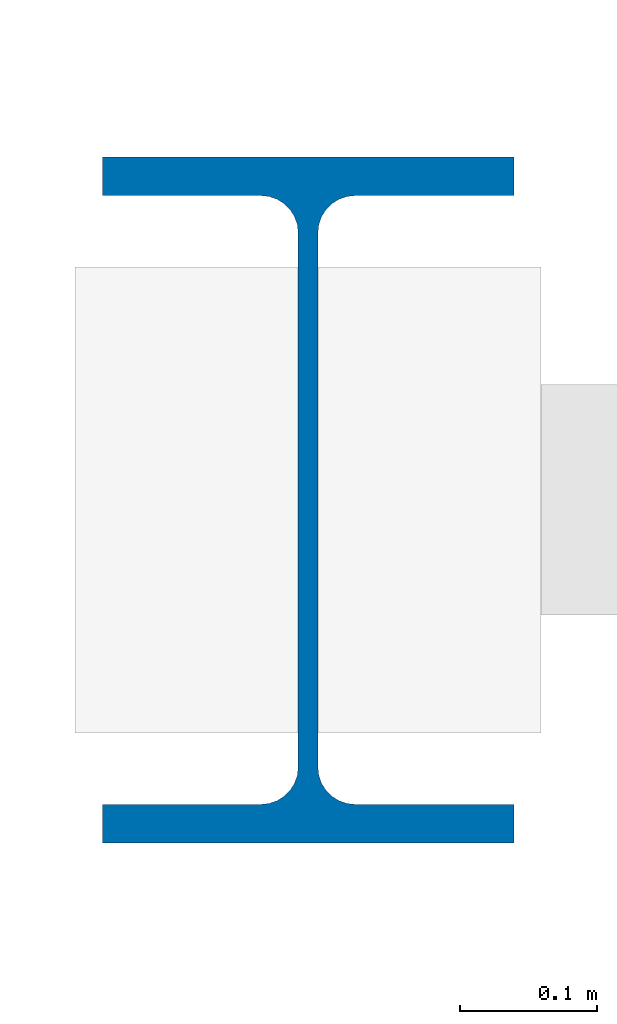
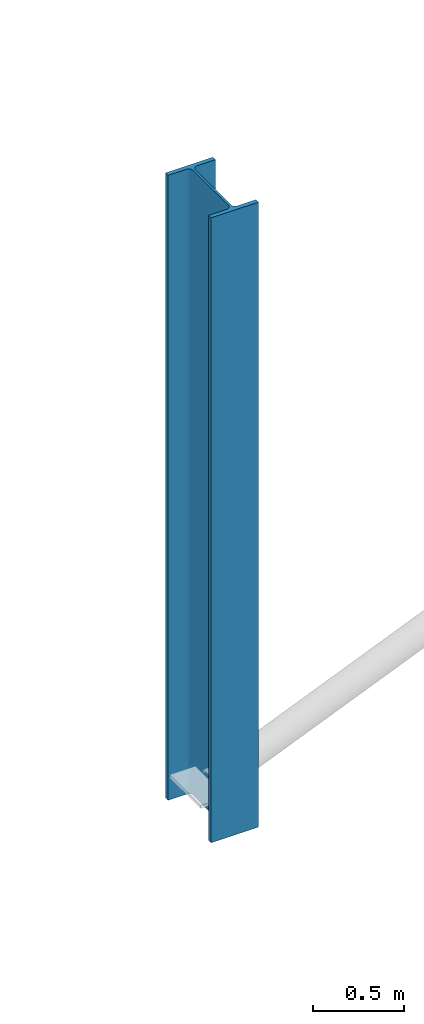
# One storey, part 8 of 140: 1 column.
"""IFC4 building model written with IfcOpenShell, lengths in metres."""

from ifc_helpers import new_model, si_unit, direction, frame, origin, origin_2d, place, context, subcontext, project, spatial, i_section, extrude, material, material_profile, profile_set, type_object, element, save


model = new_model("IFC4")

# Units and contexts
model_context = context("Model", 3, precision=1e-05, world=origin(), true_north=direction((0.0, 1.0)))
body_context = subcontext(model_context, "Body", "Model", "MODEL_VIEW")
ifc_project = project(units=[si_unit("LENGTHUNIT", "METRE"), si_unit("AREAUNIT", "SQUARE_METRE"), si_unit("VOLUMEUNIT", "CUBIC_METRE"), si_unit("PLANEANGLEUNIT", "RADIAN"), si_unit("MASSUNIT", "GRAM", prefix="KILO")], contexts=[model_context])

# Site, building, storey
site_placement = place(None, origin())
site = spatial("IfcSite", under=ifc_project, at=site_placement, CompositionType="ELEMENT")
building_placement = place(site_placement, origin())
building = spatial("IfcBuilding", under=site, at=building_placement, Name="Deido Ridge Mobility Hub", CompositionType="ELEMENT")
storey_placement = place(building_placement, origin())
storey = spatial("IfcBuildingStorey", under=building, at=storey_placement, Name="L00", CompositionType="ELEMENT", Elevation=0.0)

# Column
ifc_material = material(Name="Steel S355J2 EN 10025-2", Category="steel")
ifc_material_profile = material_profile(ifc_material, i_section(OverallWidth=0.300048828125, OverallDepth=0.5, WebThickness=0.014404296875, FlangeThickness=0.028076171875, FilletRadius=0.027099609375, at=origin_2d()), Name="HEB 500")
ifc_profile_set = profile_set([ifc_material_profile], Name="Steel S355J2 EN 10025-2")
column_type = type_object("IfcColumnType", Name="COL-HEB500", PredefinedType="COLUMN", material=ifc_profile_set)
column_placement = place(storey_placement, frame((117.0, 54.0, 0.0), z_axis=(0.0, 0.0, 1.0), x_axis=(1.0, 0.0, 0.0)))
element("IfcColumn", 1, at=column_placement, inside=storey, type_object=column_type, Name="Structural column C5", PredefinedType="COLUMN", context=body_context, shape_type="SweptSolid", body=[
    extrude(i_section(OverallWidth=0.300048828125, OverallDepth=0.5, WebThickness=0.014404296875, FlangeThickness=0.028076171875, FilletRadius=0.027099609375, at=origin_2d()), origin(), (0.0, 0.0, 1.0), 4.199951171875),
])

save(model, "model.ifc")
